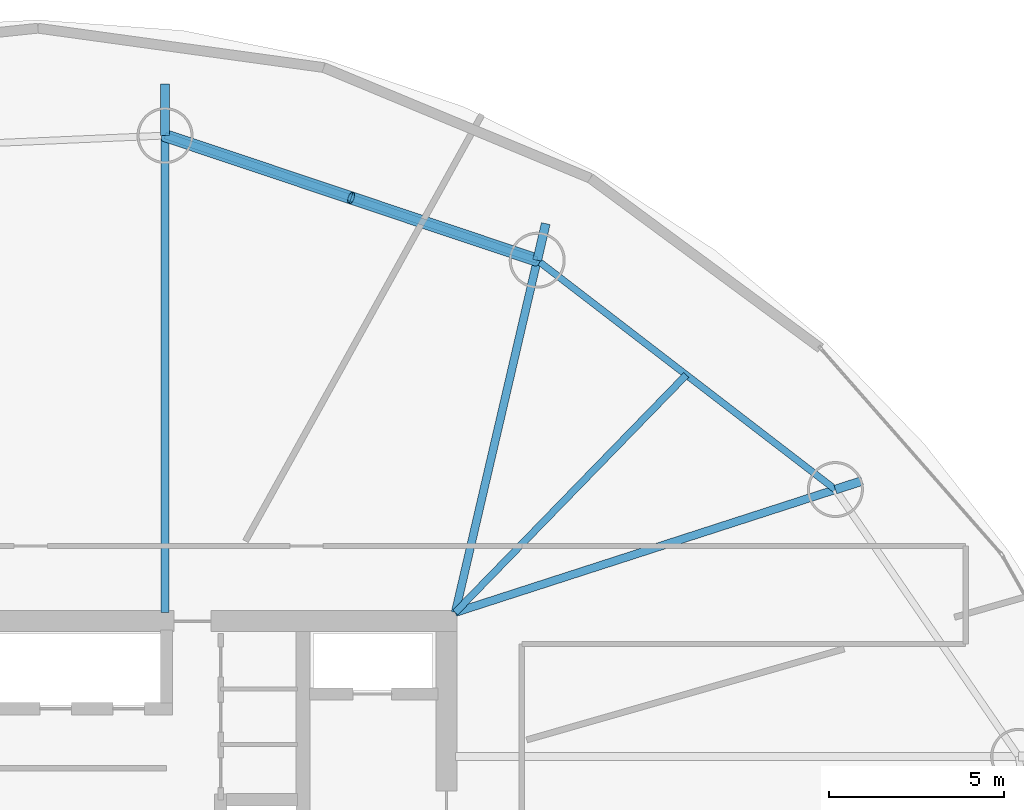
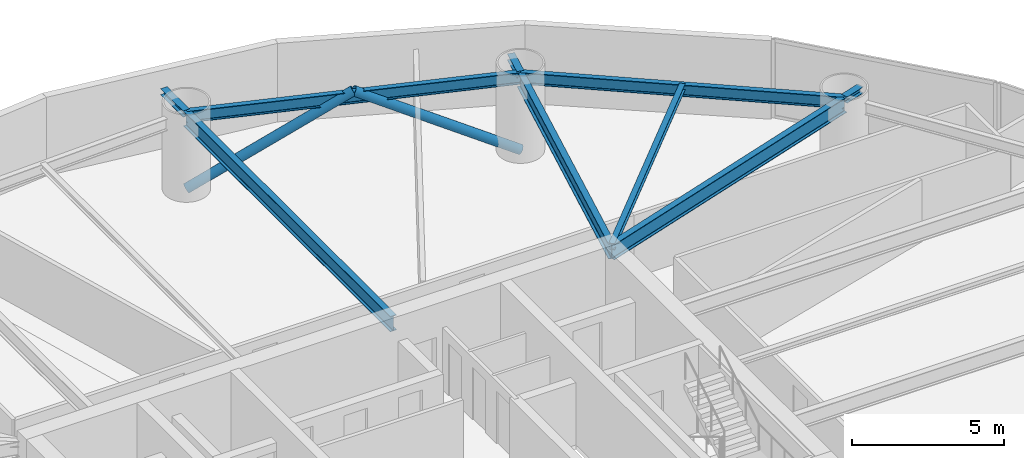
# One storey, part 15 of 25: 9 beams, 2 members.
"""IFC4 building model written with IfcOpenShell, lengths in metres."""

from ifc_helpers import new_model, si_unit, direction, frame, origin, origin_2d, place, context, subcontext, project, spatial, hollow_circle, i_section, extrude, material, material_profile, profile_set, type_object, element, save


model = new_model("IFC4")

# Units and contexts
model_context = context("Model", 3, precision=1e-05, world=origin(), true_north=direction((0.0, 1.0)))
body_context = subcontext(model_context, "Body", "Model", "MODEL_VIEW")
ifc_project = project(units=[si_unit("LENGTHUNIT", "METRE"), si_unit("AREAUNIT", "SQUARE_METRE"), si_unit("VOLUMEUNIT", "CUBIC_METRE"), si_unit("PLANEANGLEUNIT", "RADIAN"), si_unit("MASSUNIT", "GRAM", prefix="KILO")], contexts=[model_context])

# Site, building, storey
site_placement = place(None, origin())
site = spatial("IfcSite", under=ifc_project, at=site_placement, CompositionType="ELEMENT")
building_placement = place(site_placement, origin())
building = spatial("IfcBuilding", under=site, at=building_placement, Name="Bramvorn Convention Spire", CompositionType="ELEMENT")
storey_placement = place(building_placement, frame((0.0, 0.0, 93.89990234375)))
storey = spatial("IfcBuildingStorey", under=building, at=storey_placement, Name="L22", CompositionType="ELEMENT", Elevation=93.89990234375)

# Beams
ifc_material = material(Name="Steel CSA G40.21 Grade 350 (350W)", Category="steel")
ifc_material_profile_1 = material_profile(ifc_material, i_section(OverallWidth=0.201904296875, OverallDepth=0.2470703125, WebThickness=0.00732421875, FlangeThickness=0.010986328125, FilletRadius=0.011962890625, at=origin_2d()))
ifc_profile_set_1 = profile_set([ifc_material_profile_1], Name="Steel CSA G40.21 Grade 350 (350W) - W250X49")
beam_type_1 = type_object("IfcBeamType", Name="BM-W250X49", PredefinedType="JOIST", material=ifc_profile_set_1)
beam_1_placement = place(storey_placement, frame((49.25, 33.449951171875, 3.026611328125), z_axis=(0.697170484005, 0.716905374671, 0.0), x_axis=(-0.716905374671, 0.697170484005, 0.0)))
element("IfcBeam", 1, at=beam_1_placement, inside=storey, type_object=beam_type_1, Name="L22 composite floor joist 03", PredefinedType="JOIST", context=body_context, shape_type="SweptSolid", body=[
    extrude(i_section(OverallWidth=0.201904296875, OverallDepth=0.2470703125, WebThickness=0.00732421875, FlangeThickness=0.010986328125, FilletRadius=0.011962890625, at=origin_2d()), origin(), (0.0, 0.0, 1.0), 9.4638671875),
])
ifc_material_profile_2 = material_profile(ifc_material, i_section(OverallWidth=0.25390625, OverallDepth=0.2529296875, WebThickness=0.008544921875, FlangeThickness=0.01416015625, FilletRadius=0.011962890625, at=origin_2d()))
ifc_profile_set_2 = profile_set([ifc_material_profile_2], Name="Steel CSA G40.21 Grade 350 (350W) - W250X73")
beam_type_2 = type_object("IfcBeamType", Name="BM-W250X73", PredefinedType="BEAM", material=ifc_profile_set_2)
beam_2_placement = place(storey_placement, frame((60.105224609375, 36.960205078125, 3.023681640625), z_axis=(0.951512841193, 0.307609026274, 0.0), x_axis=(-0.307609026274, 0.951512841193, 0.0)))
element("IfcBeam", 2, at=beam_2_placement, inside=storey, type_object=beam_type_2, Name="L22 slab-edge cantilever tip beam MC03", PredefinedType="BEAM", context=body_context, shape_type="SweptSolid", body=[
    extrude(i_section(OverallWidth=0.25390625, OverallDepth=0.2529296875, WebThickness=0.008544921875, FlangeThickness=0.01416015625, FilletRadius=0.011962890625, at=origin_2d()), origin(), (0.0, 0.0, 1.0), 0.800048828125),
])
beam_3_placement = place(storey_placement, frame((51.59033203125, 43.509033203125, 3.023681640625), z_axis=(0.226453299677, 0.974022023912, 0.0), x_axis=(-0.974022023912, 0.226453299677, 0.0)))
element("IfcBeam", 3, at=beam_3_placement, inside=storey, type_object=beam_type_2, Name="L22 slab-edge cantilever tip beam MC04", PredefinedType="BEAM", context=body_context, shape_type="SweptSolid", body=[
    extrude(i_section(OverallWidth=0.25390625, OverallDepth=0.2529296875, WebThickness=0.008544921875, FlangeThickness=0.01416015625, FilletRadius=0.011962890625, at=origin_2d()), origin(), (0.0, 0.0, 1.0), 1.07373046875),
])
beam_4_placement = place(storey_placement, frame((40.9609375, 47.06884765625, 3.023681640625), z_axis=(0.0, 1.0, 0.0), x_axis=(-1.0, 0.0, 0.0)))
element("IfcBeam", 4, at=beam_4_placement, inside=storey, type_object=beam_type_2, Name="L22 slab-edge cantilever tip beam MC05", PredefinedType="BEAM", context=body_context, shape_type="SweptSolid", body=[
    extrude(i_section(OverallWidth=0.25390625, OverallDepth=0.2529296875, WebThickness=0.008544921875, FlangeThickness=0.01416015625, FilletRadius=0.011962890625, at=origin_2d()), origin(), (0.0, 0.0, 1.0), 1.478759765625),
])
ifc_material_profile_3 = material_profile(ifc_material, i_section(OverallWidth=0.194091796875, OverallDepth=0.468994140625, WebThickness=0.0126953125, FlangeThickness=0.0205078125, FilletRadius=0.01806640625, at=origin_2d()))
ifc_profile_set_3 = profile_set([ifc_material_profile_3], Name="Steel CSA G40.21 Grade 350 (350W) - W460X106")
beam_type_3 = type_object("IfcBeamType", Name="BM-W460X106", PredefinedType="SPANDREL", material=ifc_profile_set_3)
beam_5_placement = place(storey_placement, frame((60.105224609375, 36.960205078125, 2.91552734375), z_axis=(-0.792672990445, 0.609647053809, 0.0), x_axis=(-0.609647053809, -0.792672990445, 0.0)))
element("IfcBeam", 5, at=beam_5_placement, inside=storey, type_object=beam_type_3, Name="L22 mega-column ring beam 03", PredefinedType="SPANDREL", context=body_context, shape_type="SweptSolid", body=[
    extrude(i_section(OverallWidth=0.194091796875, OverallDepth=0.468994140625, WebThickness=0.0126953125, FlangeThickness=0.0205078125, FilletRadius=0.01806640625, at=origin_2d()), origin(), (0.0, 0.0, 1.0), 10.741943359375),
])
beam_6_placement = place(storey_placement, frame((51.59033203125, 43.509033203125, 2.91552734375), z_axis=(-0.948235872727, 0.317566890078, 0.0), x_axis=(-0.317566890078, -0.948235872727, 0.0)))
element("IfcBeam", 6, at=beam_6_placement, inside=storey, type_object=beam_type_3, Name="L22 mega-column ring beam 04", PredefinedType="SPANDREL", context=body_context, shape_type="SweptSolid", body=[
    extrude(i_section(OverallWidth=0.194091796875, OverallDepth=0.468994140625, WebThickness=0.0126953125, FlangeThickness=0.0205078125, FilletRadius=0.01806640625, at=origin_2d()), origin(), (0.0, 0.0, 1.0), 11.209716796875),
])
ifc_material_profile_4 = material_profile(ifc_material, i_section(OverallWidth=0.22998046875, OverallDepth=0.616943359375, WebThickness=0.01318359375, FlangeThickness=0.022216796875, FilletRadius=0.02001953125, at=origin_2d()))
ifc_profile_set_4 = profile_set([ifc_material_profile_4], Name="Steel CSA G40.21 Grade 350 (350W) - W610X140")
beam_type_4 = type_object("IfcBeamType", Name="BM-W610X140", PredefinedType="BEAM", material=ifc_profile_set_4)
beam_7_placement = place(storey_placement, frame((49.25, 33.449951171875, 2.841552734375), z_axis=(0.951488933275, 0.307682969719, 0.0), x_axis=(-0.307682969719, 0.951488933275, 0.0)))
element("IfcBeam", 7, at=beam_7_placement, inside=storey, type_object=beam_type_4, Name="L22 radial floor girder MC03", PredefinedType="BEAM", context=body_context, shape_type="SweptSolid", body=[
    extrude(i_section(OverallWidth=0.22998046875, OverallDepth=0.616943359375, WebThickness=0.01318359375, FlangeThickness=0.022216796875, FilletRadius=0.02001953125, at=origin_2d()), origin(), (0.0, 0.0, 1.0), 11.40869140625),
])
beam_8_placement = place(storey_placement, frame((49.25, 33.449951171875, 2.841552734375), z_axis=(0.226606328522, 0.973986433106, 0.0), x_axis=(-0.973986433106, 0.226606328522, 0.0)))
element("IfcBeam", 8, at=beam_8_placement, inside=storey, type_object=beam_type_4, Name="L22 radial floor girder MC04", PredefinedType="BEAM", context=body_context, shape_type="SweptSolid", body=[
    extrude(i_section(OverallWidth=0.22998046875, OverallDepth=0.616943359375, WebThickness=0.01318359375, FlangeThickness=0.022216796875, FilletRadius=0.02001953125, at=origin_2d()), origin(), (0.0, 0.0, 1.0), 10.32763671875),
])
beam_9_placement = place(storey_placement, frame((40.9609375, 33.449951171875, 2.841552734375), z_axis=(0.0, 1.0, 0.0), x_axis=(-1.0, 0.0, 0.0)))
element("IfcBeam", 9, at=beam_9_placement, inside=storey, type_object=beam_type_4, Name="L22 radial floor girder MC05", PredefinedType="BEAM", context=body_context, shape_type="SweptSolid", body=[
    extrude(i_section(OverallWidth=0.22998046875, OverallDepth=0.616943359375, WebThickness=0.01318359375, FlangeThickness=0.022216796875, FilletRadius=0.02001953125, at=origin_2d()), origin(), (0.0, 0.0, 1.0), 13.618896484375),
])

# Members
ifc_material_profile_5 = material_profile(ifc_material, hollow_circle(Radius=0.177734375, WallThickness=0.015869140625, at=origin_2d()))
ifc_profile_set_5 = profile_set([ifc_material_profile_5], Name="Steel CSA G40.21 Grade 350 (350W) - CHS356X16")
member_type = type_object("IfcMemberType", Name="MBR-CHS356X16", PredefinedType="BRACE", material=ifc_profile_set_5)
for number, where, z_axis, x_axis, name in (
    (10, (51.59033203125, 43.509033203125, 0.0), (-0.826616645923, 0.276855251294, 0.489955192353), (-0.31758647294, -0.948229314146, 0.0), "L22 perimeter Gothic lancet brace 4A"),
    (11, (40.9609375, 47.06884765625, 0.0), (0.82662533552, -0.276820189073, 0.489960342883), (0.31754730681, 0.948242430994, 0.0), "L22 perimeter Gothic lancet brace 4B"),
):
    element("IfcMember", number, at=place(storey_placement, frame(where, z_axis=z_axis, x_axis=x_axis)), inside=storey, type_object=member_type, Name=name, PredefinedType="BRACE", context=body_context, shape_type="SweptSolid", body=[
        extrude(hollow_circle(Radius=0.177734375, WallThickness=0.015869140625, at=origin_2d()), origin(), (0.0, 0.0, 1.0), 6.429443359375),
    ])

save(model, "model.ifc")
